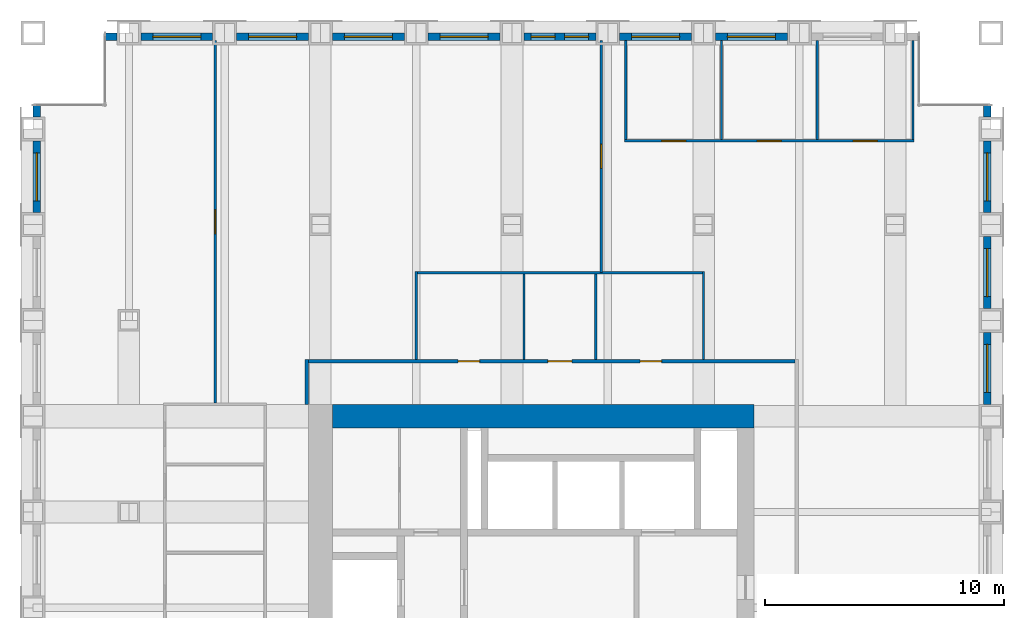
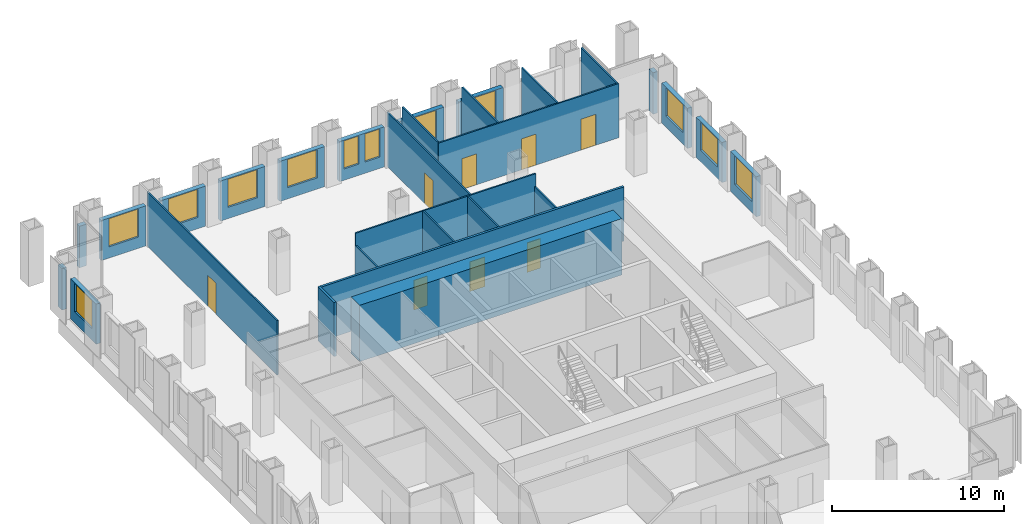
# One storey, part 10 of 12: 29 walls, 12 windows, 8 doors, 20 openings.
"""IFC4 building model written with IfcOpenShell, lengths in metres."""

from ifc_helpers import new_model, si_unit, direction, frame, frame_2d, origin, place, context, subcontext, project, spatial, rectangle, extrude, material, layer, layer_set, type_object, element, fill, save


model = new_model("IFC4")

# Units and contexts
model_context = context("Model", 3, precision=1e-05, world=origin(), true_north=direction((0.0, 1.0)))
body_context = subcontext(model_context, "Body", "Model", "MODEL_VIEW")
ifc_project = project(units=[si_unit("LENGTHUNIT", "METRE"), si_unit("AREAUNIT", "SQUARE_METRE"), si_unit("VOLUMEUNIT", "CUBIC_METRE"), si_unit("PLANEANGLEUNIT", "RADIAN"), si_unit("MASSUNIT", "GRAM", prefix="KILO")], contexts=[model_context])

# Site, building, storey
site_placement = place(None, origin())
site = spatial("IfcSite", under=ifc_project, at=site_placement, CompositionType="ELEMENT")
building_placement = place(site_placement, origin())
building = spatial("IfcBuilding", under=site, at=building_placement, Name="Rimbunsela Tower", CompositionType="ELEMENT")
storey_placement = place(building_placement, frame((0.0, 0.0, 163.800048828125)))
storey = spatial("IfcBuildingStorey", under=building, at=storey_placement, Name="L39", CompositionType="ELEMENT", Elevation=163.800048828125)

# Wall
ifc_material_1 = material(Name="Concrete fc' 80 MPa", Category="concrete")
ifc_layer_1 = layer(ifc_material_1, 1.0)
ifc_layer_set_1 = layer_set([ifc_layer_1], Name="Core wall 1000")
wall_type_1 = type_object("IfcWallType", Name="Core wall 1000", PredefinedType="SHEAR", material=ifc_layer_set_1)
wall_1_placement = place(storey_placement, frame((18.5, 36.0, -0.150146484375), z_axis=(0.0, 0.0, 1.0), x_axis=(1.0, 0.0, 0.0)))
element("IfcWall", 1, at=wall_1_placement, inside=storey, type_object=wall_type_1, Name="Core wall north", PredefinedType="SHEAR", context=body_context, shape_type="SweptSolid", body=[
    extrude(rectangle(XDim=17.60009765625, YDim=1.0, at=frame_2d((8.800048828125, 0.0))), origin(), (0.0, 0.0, 1.0), 4.0),
])

# Wall, openings, doors
ifc_material_2 = material(Name="Gypsum board on steel studs", Category="steel")
ifc_layer_2 = layer(ifc_material_2, 0.10009765625)
ifc_layer_set_2 = layer_set([ifc_layer_2], Name="Office partition 100")
wall_type_2 = type_object("IfcWallType", Name="Office partition 100", PredefinedType="PARTITIONING", material=ifc_layer_set_2)
wall_2_placement = place(storey_placement, frame((30.699951171875, 47.5, 0.0), z_axis=(0.0, 0.0, 1.0), x_axis=(1.0, 0.0, 0.0)))
wall_2 = element("IfcWall", 2, at=wall_2_placement, inside=storey, type_object=wall_type_2, Name="Office partition", PredefinedType="PARTITIONING", context=body_context, shape_type="SweptSolid", body=[
    extrude(rectangle(XDim=12.10009765625, YDim=0.10009765625, at=frame_2d((6.050048828125, 0.0))), origin(), (0.0, 0.0, 1.0), 3.849853515625),
])
opening_1_placement = place(wall_2_placement, frame((1.550048828125, 0.0, 0.0)))
opening_1 = element("IfcOpeningElement", 3, at=opening_1_placement, cuts=wall_2, Name="Opening D16", PredefinedType="OPENING", context=body_context, shape_type="SweptSolid", body=[
    extrude(rectangle(XDim=1.0, YDim=2.199951171875, at=frame_2d((0.5, 1.10009765625))), frame((0.0, 0.06005859375, 0.0), z_axis=(0.0, -1.0, 0.0), x_axis=(1.0, 0.0, 0.0)), (0.0, 0.0, 1.0), 0.1201171875),
])
opening_2_placement = place(wall_2_placement, frame((5.550048828125, 0.0, 0.0)))
opening_2 = element("IfcOpeningElement", 4, at=opening_2_placement, cuts=wall_2, Name="Opening D16", PredefinedType="OPENING", context=body_context, shape_type="SweptSolid", body=[
    extrude(rectangle(XDim=1.0, YDim=2.199951171875, at=frame_2d((0.5, 1.10009765625))), frame((0.0, 0.06005859375, 0.0), z_axis=(0.0, -1.0, 0.0), x_axis=(1.0, 0.0, 0.0)), (0.0, 0.0, 1.0), 0.1201171875),
])
opening_3_placement = place(wall_2_placement, frame((9.550048828125, 0.0, 0.0)))
opening_3 = element("IfcOpeningElement", 5, at=opening_3_placement, cuts=wall_2, Name="Opening D16", PredefinedType="OPENING", context=body_context, shape_type="SweptSolid", body=[
    extrude(rectangle(XDim=1.0, YDim=2.199951171875, at=frame_2d((0.5, 1.10009765625))), frame((0.0, 0.06005859375, 0.0), z_axis=(0.0, -1.0, 0.0), x_axis=(1.0, 0.0, 0.0)), (0.0, 0.0, 1.0), 0.1201171875),
])
ifc_material_3 = material(Name="Timber door", Category="wood")
door_type_1 = type_object("IfcDoorType", Name="Office door 1000", OperationType="SINGLE_SWING_LEFT", PredefinedType="DOOR", material=ifc_material_3)
door_1_placement = place(opening_1_placement, origin())
door_1 = element("IfcDoor", 6, at=door_1_placement, inside=storey, type_object=door_type_1, Name="Office door", OperationType="SINGLE_SWING_LEFT", OverallHeight=2.199951171875, OverallWidth=1.0, PredefinedType="DOOR", context=body_context, shape_type="SweptSolid", body=[
    extrude(rectangle(XDim=1.0, YDim=2.199951171875, at=frame_2d((0.5, 1.10009765625))), frame((0.0, 0.02490234375, 0.0), z_axis=(0.0, -1.0, 0.0), x_axis=(1.0, 0.0, 0.0)), (0.0, 0.0, 1.0), 0.050048828125),
])
fill(opening_1, door_1)
door_2_placement = place(opening_2_placement, origin())
door_2 = element("IfcDoor", 7, at=door_2_placement, inside=storey, type_object=door_type_1, Name="Office door", OperationType="SINGLE_SWING_LEFT", OverallHeight=2.199951171875, OverallWidth=1.0, PredefinedType="DOOR", context=body_context, shape_type="SweptSolid", body=[
    extrude(rectangle(XDim=1.0, YDim=2.199951171875, at=frame_2d((0.5, 1.10009765625))), frame((0.0, 0.02490234375, 0.0), z_axis=(0.0, -1.0, 0.0), x_axis=(1.0, 0.0, 0.0)), (0.0, 0.0, 1.0), 0.050048828125),
])
fill(opening_2, door_2)
door_3_placement = place(opening_3_placement, origin())
door_3 = element("IfcDoor", 8, at=door_3_placement, inside=storey, type_object=door_type_1, Name="Office door", OperationType="SINGLE_SWING_LEFT", OverallHeight=2.199951171875, OverallWidth=1.0, PredefinedType="DOOR", context=body_context, shape_type="SweptSolid", body=[
    extrude(rectangle(XDim=1.0, YDim=2.199951171875, at=frame_2d((0.5, 1.10009765625))), frame((0.0, 0.02490234375, 0.0), z_axis=(0.0, -1.0, 0.0), x_axis=(1.0, 0.0, 0.0)), (0.0, 0.0, 1.0), 0.050048828125),
])
fill(opening_3, door_3)

# Walls
for number, where, z_axis, x_axis, name in (
    (9, (30.75, 47.550048828125, 0.0), (0.0, 0.0, 1.0), (0.0, 1.0, 0.0), "Office partition"),
    (10, (34.75, 47.550048828125, 0.0), (0.0, 0.0, 1.0), (0.0, 1.0, 0.0), "Office partition"),
    (11, (38.75, 47.550048828125, 0.0), (0.0, 0.0, 1.0), (0.0, 1.0, 0.0), "Office partition"),
    (12, (42.75, 47.550048828125, 0.0), (0.0, 0.0, 1.0), (0.0, 1.0, 0.0), "Office partition"),
):
    element("IfcWall", number, at=place(storey_placement, frame(where, z_axis=z_axis, x_axis=x_axis)), inside=storey, type_object=wall_type_2, Name=name, PredefinedType="PARTITIONING", context=body_context, shape_type="SweptSolid", body=[
        extrude(rectangle(XDim=4.14990234375, YDim=0.10009765625, at=frame_2d((2.074951171875, 0.0))), origin(), (0.0, 0.0, 1.0), 3.849853515625),
    ])

# Wall, opening, door
wall_3_placement = place(storey_placement, frame((29.72509765625, 51.699951171875, 0.0), z_axis=(0.0, 0.0, 1.0), x_axis=(0.0, -1.0, 0.0)))
wall_3 = element("IfcWall", 13, at=wall_3_placement, inside=storey, type_object=wall_type_2, Name="Office partition", PredefinedType="PARTITIONING", context=body_context, shape_type="SweptSolid", body=[
    extrude(rectangle(XDim=9.699951171875, YDim=0.10009765625, at=frame_2d((4.85009765625, 0.0))), origin(), (0.0, 0.0, 1.0), 3.849853515625),
])
opening_4_placement = place(wall_3_placement, frame((4.35009765625, 0.0, 0.0)))
opening_4 = element("IfcOpeningElement", 14, at=opening_4_placement, cuts=wall_3, Name="Opening D17", PredefinedType="OPENING", context=body_context, shape_type="SweptSolid", body=[
    extrude(rectangle(XDim=1.0, YDim=2.199951171875, at=frame_2d((0.5, 1.10009765625))), frame((0.0, 0.06005859375, 0.0), z_axis=(0.0, -1.0, 0.0), x_axis=(1.0, 0.0, 0.0)), (0.0, 0.0, 1.0), 0.1201171875),
])
ifc_material_4 = material(Name="Glazed aluminium door", Category="aluminium")
door_type_2 = type_object("IfcDoorType", Name="Meeting room door 1000 glazed", OperationType="SINGLE_SWING_RIGHT", PredefinedType="DOOR", material=ifc_material_4)
door_4_placement = place(opening_4_placement, origin())
door_4 = element("IfcDoor", 15, at=door_4_placement, inside=storey, type_object=door_type_2, Name="Open office screen door", OperationType="SINGLE_SWING_RIGHT", OverallHeight=2.199951171875, OverallWidth=1.0, PredefinedType="DOOR", context=body_context, shape_type="SweptSolid", body=[
    extrude(rectangle(XDim=1.0, YDim=2.199951171875, at=frame_2d((0.5, 1.10009765625))), frame((0.0, 0.02490234375, 0.0), z_axis=(0.0, -1.0, 0.0), x_axis=(1.0, 0.0, 0.0)), (0.0, 0.0, 1.0), 0.050048828125),
])
fill(opening_4, door_4)

wall_4_placement = place(storey_placement, frame((13.60009765625, 36.550048828125, 0.0), z_axis=(0.0, 0.0, 1.0), x_axis=(0.0, 1.0, 0.0)))
wall_4 = element("IfcWall", 16, at=wall_4_placement, inside=storey, type_object=wall_type_2, Name="Office partition", PredefinedType="PARTITIONING", context=body_context, shape_type="SweptSolid", body=[
    extrude(rectangle(XDim=15.14990234375, YDim=0.10009765625, at=frame_2d((7.574951171875, 0.0))), origin(), (0.0, 0.0, 1.0), 3.849853515625),
])
opening_5_placement = place(wall_4_placement, frame((7.074951171875, 0.0, 0.0)))
opening_5 = element("IfcOpeningElement", 17, at=opening_5_placement, cuts=wall_4, Name="Opening D17", PredefinedType="OPENING", context=body_context, shape_type="SweptSolid", body=[
    extrude(rectangle(XDim=1.0, YDim=2.199951171875, at=frame_2d((0.5, 1.10009765625))), frame((0.0, 0.06005859375, 0.0), z_axis=(0.0, -1.0, 0.0), x_axis=(1.0, 0.0, 0.0)), (0.0, 0.0, 1.0), 0.1201171875),
])
door_5_placement = place(opening_5_placement, origin())
door_5 = element("IfcDoor", 18, at=door_5_placement, inside=storey, type_object=door_type_2, Name="Open office screen door", OperationType="SINGLE_SWING_RIGHT", OverallHeight=2.199951171875, OverallWidth=1.0, PredefinedType="DOOR", context=body_context, shape_type="SweptSolid", body=[
    extrude(rectangle(XDim=1.0, YDim=2.199951171875, at=frame_2d((0.5, 1.10009765625))), frame((0.0, 0.02490234375, 0.0), z_axis=(0.0, -1.0, 0.0), x_axis=(1.0, 0.0, 0.0)), (0.0, 0.0, 1.0), 0.050048828125),
])
fill(opening_5, door_5)

# Wall, opening, window
ifc_material_5 = material(Name="Precast concrete fc' 35 MPa", Category="concrete")
ifc_layer_3 = layer(ifc_material_5, 0.300048828125)
ifc_layer_set_3 = layer_set([ifc_layer_3], Name="Precast concrete fc' 35 MPa")
wall_type_3 = type_object("IfcWallType", Name="Precast facade panel 300", PredefinedType="ELEMENTEDWALL", material=ifc_layer_set_3)
wall_5_placement = place(storey_placement, frame((45.85009765625, 36.5, 0.0), z_axis=(0.0, 0.0, 1.0), x_axis=(0.0, 1.0, 0.0)))
wall_5 = element("IfcWall", 19, at=wall_5_placement, inside=storey, type_object=wall_type_3, Name="Facade panel E L39", PredefinedType="ELEMENTEDWALL", context=body_context, shape_type="SweptSolid", body=[
    extrude(rectangle(XDim=3.0, YDim=0.300048828125, at=frame_2d((1.5, 0.0))), origin(), (0.0, 0.0, 1.0), 2.849853515625),
])
opening_6_placement = place(wall_5_placement, frame((0.5, 0.0, 0.800048828125)))
opening_6 = element("IfcOpeningElement", 20, at=opening_6_placement, cuts=wall_5, Name="Opening W1", PredefinedType="OPENING", context=body_context, shape_type="SweptSolid", body=[
    extrude(rectangle(XDim=2.0, YDim=2.0, at=frame_2d((1.0, 1.0))), frame((0.0, 0.159912109375, 0.0), z_axis=(0.0, -1.0, 0.0), x_axis=(1.0, 0.0, 0.0)), (0.0, 0.0, 1.0), 0.320068359375),
])
ifc_material_6 = material(Name="Clear glass in aluminium frame", Category="aluminium")
window_type_1 = type_object("IfcWindowType", Name="Window W1 2000x2000", PartitioningType="DOUBLE_PANEL_VERTICAL", PredefinedType="WINDOW", material=ifc_material_6)
window_1_placement = place(opening_6_placement, origin())
window_1 = element("IfcWindow", 21, at=window_1_placement, inside=storey, type_object=window_type_1, Name="Window L39", OverallHeight=2.0, OverallWidth=2.0, PartitioningType="SINGLE_PANEL", PredefinedType="WINDOW", context=body_context, shape_type="SweptSolid", body=[
    extrude(rectangle(XDim=2.0, YDim=2.0, at=frame_2d((1.0, 1.0))), frame((0.0, 0.030029296875, 0.0), z_axis=(0.0, -1.0, 0.0), x_axis=(1.0, 0.0, 0.0)), (0.0, 0.0, 1.0), 0.06005859375),
])
fill(opening_6, window_1)

wall_6_placement = place(storey_placement, frame((45.85009765625, 40.5, 0.0), z_axis=(0.0, 0.0, 1.0), x_axis=(0.0, 1.0, 0.0)))
wall_6 = element("IfcWall", 22, at=wall_6_placement, inside=storey, type_object=wall_type_3, Name="Facade panel E L39", PredefinedType="ELEMENTEDWALL", context=body_context, shape_type="SweptSolid", body=[
    extrude(rectangle(XDim=3.0, YDim=0.300048828125, at=frame_2d((1.5, 0.0))), origin(), (0.0, 0.0, 1.0), 2.849853515625),
])
opening_7_placement = place(wall_6_placement, frame((0.5, 0.0, 0.800048828125)))
opening_7 = element("IfcOpeningElement", 23, at=opening_7_placement, cuts=wall_6, Name="Opening W1", PredefinedType="OPENING", context=body_context, shape_type="SweptSolid", body=[
    extrude(rectangle(XDim=2.0, YDim=2.0, at=frame_2d((1.0, 1.0))), frame((0.0, 0.159912109375, 0.0), z_axis=(0.0, -1.0, 0.0), x_axis=(1.0, 0.0, 0.0)), (0.0, 0.0, 1.0), 0.320068359375),
])
window_2_placement = place(opening_7_placement, origin())
window_2 = element("IfcWindow", 24, at=window_2_placement, inside=storey, type_object=window_type_1, Name="Window L39", OverallHeight=2.0, OverallWidth=2.0, PartitioningType="SINGLE_PANEL", PredefinedType="WINDOW", context=body_context, shape_type="SweptSolid", body=[
    extrude(rectangle(XDim=2.0, YDim=2.0, at=frame_2d((1.0, 1.0))), frame((0.0, 0.030029296875, 0.0), z_axis=(0.0, -1.0, 0.0), x_axis=(1.0, 0.0, 0.0)), (0.0, 0.0, 1.0), 0.06005859375),
])
fill(opening_7, window_2)

wall_7_placement = place(storey_placement, frame((45.85009765625, 44.5, 0.0), z_axis=(0.0, 0.0, 1.0), x_axis=(0.0, 1.0, 0.0)))
wall_7 = element("IfcWall", 25, at=wall_7_placement, inside=storey, type_object=wall_type_3, Name="Facade panel E L39", PredefinedType="ELEMENTEDWALL", context=body_context, shape_type="SweptSolid", body=[
    extrude(rectangle(XDim=3.0, YDim=0.300048828125, at=frame_2d((1.5, 0.0))), origin(), (0.0, 0.0, 1.0), 2.849853515625),
])
opening_8_placement = place(wall_7_placement, frame((0.5, 0.0, 0.800048828125)))
opening_8 = element("IfcOpeningElement", 26, at=opening_8_placement, cuts=wall_7, Name="Opening W1", PredefinedType="OPENING", context=body_context, shape_type="SweptSolid", body=[
    extrude(rectangle(XDim=2.0, YDim=2.0, at=frame_2d((1.0, 1.0))), frame((0.0, 0.159912109375, 0.0), z_axis=(0.0, -1.0, 0.0), x_axis=(1.0, 0.0, 0.0)), (0.0, 0.0, 1.0), 0.320068359375),
])
window_3_placement = place(opening_8_placement, origin())
window_3 = element("IfcWindow", 27, at=window_3_placement, inside=storey, type_object=window_type_1, Name="Window L39", OverallHeight=2.0, OverallWidth=2.0, PartitioningType="SINGLE_PANEL", PredefinedType="WINDOW", context=body_context, shape_type="SweptSolid", body=[
    extrude(rectangle(XDim=2.0, YDim=2.0, at=frame_2d((1.0, 1.0))), frame((0.0, 0.030029296875, 0.0), z_axis=(0.0, -1.0, 0.0), x_axis=(1.0, 0.0, 0.0)), (0.0, 0.0, 1.0), 0.06005859375),
])
fill(opening_8, window_3)

# Walls
for number, where, z_axis, x_axis, name in (
    (28, (45.85009765625, 48.5, 0.0), (0.0, 0.0, 1.0), (0.0, 1.0, 0.0), "Facade panel E L39"),
    (29, (9.5, 51.85009765625, 0.0), (0.0, 0.0, 1.0), (-1.0, 0.0, 0.0), "Facade panel N L39"),
):
    element("IfcWall", number, at=place(storey_placement, frame(where, z_axis=z_axis, x_axis=x_axis)), inside=storey, type_object=wall_type_3, Name=name, PredefinedType="ELEMENTEDWALL", context=body_context, shape_type="SweptSolid", body=[
        extrude(rectangle(XDim=0.469970703125, YDim=0.300048828125, at=frame_2d((0.23486328125, 0.0))), origin(), (0.0, 0.0, 1.0), 2.949951171875),
    ])

# Wall, opening, window
wall_8_placement = place(storey_placement, frame((13.5, 51.85009765625, 0.0), z_axis=(0.0, 0.0, 1.0), x_axis=(-1.0, 0.0, 0.0)))
wall_8 = element("IfcWall", 30, at=wall_8_placement, inside=storey, type_object=wall_type_3, Name="Facade panel N L39", PredefinedType="ELEMENTEDWALL", context=body_context, shape_type="SweptSolid", body=[
    extrude(rectangle(XDim=3.0, YDim=0.300048828125, at=frame_2d((1.5, 0.0))), origin(), (0.0, 0.0, 1.0), 2.849853515625),
])
opening_9_placement = place(wall_8_placement, frame((0.5, 0.0, 0.800048828125)))
opening_9 = element("IfcOpeningElement", 31, at=opening_9_placement, cuts=wall_8, Name="Opening W1", PredefinedType="OPENING", context=body_context, shape_type="SweptSolid", body=[
    extrude(rectangle(XDim=2.0, YDim=2.0, at=frame_2d((1.0, 1.0))), frame((0.0, 0.159912109375, 0.0), z_axis=(0.0, -1.0, 0.0), x_axis=(1.0, 0.0, 0.0)), (0.0, 0.0, 1.0), 0.320068359375),
])
window_4_placement = place(opening_9_placement, origin())
window_4 = element("IfcWindow", 32, at=window_4_placement, inside=storey, type_object=window_type_1, Name="Window L39", OverallHeight=2.0, OverallWidth=2.0, PartitioningType="SINGLE_PANEL", PredefinedType="WINDOW", context=body_context, shape_type="SweptSolid", body=[
    extrude(rectangle(XDim=2.0, YDim=2.0, at=frame_2d((1.0, 1.0))), frame((0.0, 0.030029296875, 0.0), z_axis=(0.0, -1.0, 0.0), x_axis=(1.0, 0.0, 0.0)), (0.0, 0.0, 1.0), 0.06005859375),
])
fill(opening_9, window_4)

wall_9_placement = place(storey_placement, frame((17.5, 51.85009765625, 0.0), z_axis=(0.0, 0.0, 1.0), x_axis=(-1.0, 0.0, 0.0)))
wall_9 = element("IfcWall", 33, at=wall_9_placement, inside=storey, type_object=wall_type_3, Name="Facade panel N L39", PredefinedType="ELEMENTEDWALL", context=body_context, shape_type="SweptSolid", body=[
    extrude(rectangle(XDim=3.0, YDim=0.300048828125, at=frame_2d((1.5, 0.0))), origin(), (0.0, 0.0, 1.0), 2.849853515625),
])
opening_10_placement = place(wall_9_placement, frame((0.5, 0.0, 0.800048828125)))
opening_10 = element("IfcOpeningElement", 34, at=opening_10_placement, cuts=wall_9, Name="Opening W1", PredefinedType="OPENING", context=body_context, shape_type="SweptSolid", body=[
    extrude(rectangle(XDim=2.0, YDim=2.0, at=frame_2d((1.0, 1.0))), frame((0.0, 0.159912109375, 0.0), z_axis=(0.0, -1.0, 0.0), x_axis=(1.0, 0.0, 0.0)), (0.0, 0.0, 1.0), 0.320068359375),
])
window_5_placement = place(opening_10_placement, origin())
window_5 = element("IfcWindow", 35, at=window_5_placement, inside=storey, type_object=window_type_1, Name="Window L39", OverallHeight=2.0, OverallWidth=2.0, PartitioningType="SINGLE_PANEL", PredefinedType="WINDOW", context=body_context, shape_type="SweptSolid", body=[
    extrude(rectangle(XDim=2.0, YDim=2.0, at=frame_2d((1.0, 1.0))), frame((0.0, 0.030029296875, 0.0), z_axis=(0.0, -1.0, 0.0), x_axis=(1.0, 0.0, 0.0)), (0.0, 0.0, 1.0), 0.06005859375),
])
fill(opening_10, window_5)

wall_10_placement = place(storey_placement, frame((21.5, 51.85009765625, 0.0), z_axis=(0.0, 0.0, 1.0), x_axis=(-1.0, 0.0, 0.0)))
wall_10 = element("IfcWall", 36, at=wall_10_placement, inside=storey, type_object=wall_type_3, Name="Facade panel N L39", PredefinedType="ELEMENTEDWALL", context=body_context, shape_type="SweptSolid", body=[
    extrude(rectangle(XDim=3.0, YDim=0.300048828125, at=frame_2d((1.5, 0.0))), origin(), (0.0, 0.0, 1.0), 2.849853515625),
])
opening_11_placement = place(wall_10_placement, frame((0.5, 0.0, 0.800048828125)))
opening_11 = element("IfcOpeningElement", 37, at=opening_11_placement, cuts=wall_10, Name="Opening W1", PredefinedType="OPENING", context=body_context, shape_type="SweptSolid", body=[
    extrude(rectangle(XDim=2.0, YDim=2.0, at=frame_2d((1.0, 1.0))), frame((0.0, 0.159912109375, 0.0), z_axis=(0.0, -1.0, 0.0), x_axis=(1.0, 0.0, 0.0)), (0.0, 0.0, 1.0), 0.320068359375),
])
window_6_placement = place(opening_11_placement, origin())
window_6 = element("IfcWindow", 38, at=window_6_placement, inside=storey, type_object=window_type_1, Name="Window L39", OverallHeight=2.0, OverallWidth=2.0, PartitioningType="SINGLE_PANEL", PredefinedType="WINDOW", context=body_context, shape_type="SweptSolid", body=[
    extrude(rectangle(XDim=2.0, YDim=2.0, at=frame_2d((1.0, 1.0))), frame((0.0, 0.030029296875, 0.0), z_axis=(0.0, -1.0, 0.0), x_axis=(1.0, 0.0, 0.0)), (0.0, 0.0, 1.0), 0.06005859375),
])
fill(opening_11, window_6)

wall_11_placement = place(storey_placement, frame((25.5, 51.85009765625, 0.0), z_axis=(0.0, 0.0, 1.0), x_axis=(-1.0, 0.0, 0.0)))
wall_11 = element("IfcWall", 39, at=wall_11_placement, inside=storey, type_object=wall_type_3, Name="Facade panel N L39", PredefinedType="ELEMENTEDWALL", context=body_context, shape_type="SweptSolid", body=[
    extrude(rectangle(XDim=3.0, YDim=0.300048828125, at=frame_2d((1.5, 0.0))), origin(), (0.0, 0.0, 1.0), 2.849853515625),
])
opening_12_placement = place(wall_11_placement, frame((0.5, 0.0, 0.800048828125)))
opening_12 = element("IfcOpeningElement", 40, at=opening_12_placement, cuts=wall_11, Name="Opening W1", PredefinedType="OPENING", context=body_context, shape_type="SweptSolid", body=[
    extrude(rectangle(XDim=2.0, YDim=2.0, at=frame_2d((1.0, 1.0))), frame((0.0, 0.159912109375, 0.0), z_axis=(0.0, -1.0, 0.0), x_axis=(1.0, 0.0, 0.0)), (0.0, 0.0, 1.0), 0.320068359375),
])
window_7_placement = place(opening_12_placement, origin())
window_7 = element("IfcWindow", 41, at=window_7_placement, inside=storey, type_object=window_type_1, Name="Window L39", OverallHeight=2.0, OverallWidth=2.0, PartitioningType="SINGLE_PANEL", PredefinedType="WINDOW", context=body_context, shape_type="SweptSolid", body=[
    extrude(rectangle(XDim=2.0, YDim=2.0, at=frame_2d((1.0, 1.0))), frame((0.0, 0.030029296875, 0.0), z_axis=(0.0, -1.0, 0.0), x_axis=(1.0, 0.0, 0.0)), (0.0, 0.0, 1.0), 0.06005859375),
])
fill(opening_12, window_7)

# Wall, openings, windows
wall_12_placement = place(storey_placement, frame((29.5, 51.85009765625, 0.0), z_axis=(0.0, 0.0, 1.0), x_axis=(-1.0, 0.0, 0.0)))
wall_12 = element("IfcWall", 42, at=wall_12_placement, inside=storey, type_object=wall_type_3, Name="Facade panel N L39", PredefinedType="ELEMENTEDWALL", context=body_context, shape_type="SweptSolid", body=[
    extrude(rectangle(XDim=3.0, YDim=0.300048828125, at=frame_2d((1.5, 0.0))), origin(), (0.0, 0.0, 1.0), 2.849853515625),
])
opening_13_placement = place(wall_12_placement, frame((1.699951171875, 0.0, 0.800048828125)))
opening_13 = element("IfcOpeningElement", 43, at=opening_13_placement, cuts=wall_12, Name="Opening W5", PredefinedType="OPENING", context=body_context, shape_type="SweptSolid", body=[
    extrude(rectangle(XDim=1.0, YDim=2.0, at=frame_2d((0.5, 1.0))), frame((0.0, 0.159912109375, 0.0), z_axis=(0.0, -1.0, 0.0), x_axis=(1.0, 0.0, 0.0)), (0.0, 0.0, 1.0), 0.320068359375),
])
opening_14_placement = place(wall_12_placement, frame((0.300048828125, 0.0, 0.800048828125)))
opening_14 = element("IfcOpeningElement", 44, at=opening_14_placement, cuts=wall_12, Name="Opening W5", PredefinedType="OPENING", context=body_context, shape_type="SweptSolid", body=[
    extrude(rectangle(XDim=1.0, YDim=2.0, at=frame_2d((0.5, 1.0))), frame((0.0, 0.159912109375, 0.0), z_axis=(0.0, -1.0, 0.0), x_axis=(1.0, 0.0, 0.0)), (0.0, 0.0, 1.0), 0.320068359375),
])
ifc_material_7 = material(Name="Clear glass in aluminium frame", Category="aluminium")
window_type_2 = type_object("IfcWindowType", Name="Window W5 1000x2000", PartitioningType="SINGLE_PANEL", PredefinedType="WINDOW", material=ifc_material_7)
window_8_placement = place(opening_13_placement, origin())
window_8 = element("IfcWindow", 45, at=window_8_placement, inside=storey, type_object=window_type_2, Name="Window L39", OverallHeight=2.0, OverallWidth=1.0, PartitioningType="SINGLE_PANEL", PredefinedType="WINDOW", context=body_context, shape_type="SweptSolid", body=[
    extrude(rectangle(XDim=1.0, YDim=2.0, at=frame_2d((0.5, 1.0))), frame((0.0, 0.030029296875, 0.0), z_axis=(0.0, -1.0, 0.0), x_axis=(1.0, 0.0, 0.0)), (0.0, 0.0, 1.0), 0.06005859375),
])
fill(opening_13, window_8)
window_9_placement = place(opening_14_placement, origin())
window_9 = element("IfcWindow", 46, at=window_9_placement, inside=storey, type_object=window_type_2, Name="Window L39", OverallHeight=2.0, OverallWidth=1.0, PartitioningType="SINGLE_PANEL", PredefinedType="WINDOW", context=body_context, shape_type="SweptSolid", body=[
    extrude(rectangle(XDim=1.0, YDim=2.0, at=frame_2d((0.5, 1.0))), frame((0.0, 0.030029296875, 0.0), z_axis=(0.0, -1.0, 0.0), x_axis=(1.0, 0.0, 0.0)), (0.0, 0.0, 1.0), 0.06005859375),
])
fill(opening_14, window_9)

# Wall, opening, window
wall_13_placement = place(storey_placement, frame((33.5, 51.85009765625, 0.0), z_axis=(0.0, 0.0, 1.0), x_axis=(-1.0, 0.0, 0.0)))
wall_13 = element("IfcWall", 47, at=wall_13_placement, inside=storey, type_object=wall_type_3, Name="Facade panel N L39", PredefinedType="ELEMENTEDWALL", context=body_context, shape_type="SweptSolid", body=[
    extrude(rectangle(XDim=3.0, YDim=0.300048828125, at=frame_2d((1.5, 0.0))), origin(), (0.0, 0.0, 1.0), 2.849853515625),
])
opening_15_placement = place(wall_13_placement, frame((0.5, 0.0, 0.800048828125)))
opening_15 = element("IfcOpeningElement", 48, at=opening_15_placement, cuts=wall_13, Name="Opening W1", PredefinedType="OPENING", context=body_context, shape_type="SweptSolid", body=[
    extrude(rectangle(XDim=2.0, YDim=2.0, at=frame_2d((1.0, 1.0))), frame((0.0, 0.159912109375, 0.0), z_axis=(0.0, -1.0, 0.0), x_axis=(1.0, 0.0, 0.0)), (0.0, 0.0, 1.0), 0.320068359375),
])
window_10_placement = place(opening_15_placement, origin())
window_10 = element("IfcWindow", 49, at=window_10_placement, inside=storey, type_object=window_type_1, Name="Window L39", OverallHeight=2.0, OverallWidth=2.0, PartitioningType="SINGLE_PANEL", PredefinedType="WINDOW", context=body_context, shape_type="SweptSolid", body=[
    extrude(rectangle(XDim=2.0, YDim=2.0, at=frame_2d((1.0, 1.0))), frame((0.0, 0.030029296875, 0.0), z_axis=(0.0, -1.0, 0.0), x_axis=(1.0, 0.0, 0.0)), (0.0, 0.0, 1.0), 0.06005859375),
])
fill(opening_15, window_10)

wall_14_placement = place(storey_placement, frame((37.5, 51.85009765625, 0.0), z_axis=(0.0, 0.0, 1.0), x_axis=(-1.0, 0.0, 0.0)))
wall_14 = element("IfcWall", 50, at=wall_14_placement, inside=storey, type_object=wall_type_3, Name="Facade panel N L39", PredefinedType="ELEMENTEDWALL", context=body_context, shape_type="SweptSolid", body=[
    extrude(rectangle(XDim=3.0, YDim=0.300048828125, at=frame_2d((1.5, 0.0))), origin(), (0.0, 0.0, 1.0), 2.849853515625),
])
opening_16_placement = place(wall_14_placement, frame((0.5, 0.0, 0.800048828125)))
opening_16 = element("IfcOpeningElement", 51, at=opening_16_placement, cuts=wall_14, Name="Opening W1", PredefinedType="OPENING", context=body_context, shape_type="SweptSolid", body=[
    extrude(rectangle(XDim=2.0, YDim=2.0, at=frame_2d((1.0, 1.0))), frame((0.0, 0.159912109375, 0.0), z_axis=(0.0, -1.0, 0.0), x_axis=(1.0, 0.0, 0.0)), (0.0, 0.0, 1.0), 0.320068359375),
])
window_11_placement = place(opening_16_placement, origin())
window_11 = element("IfcWindow", 52, at=window_11_placement, inside=storey, type_object=window_type_1, Name="Window L39", OverallHeight=2.0, OverallWidth=2.0, PartitioningType="SINGLE_PANEL", PredefinedType="WINDOW", context=body_context, shape_type="SweptSolid", body=[
    extrude(rectangle(XDim=2.0, YDim=2.0, at=frame_2d((1.0, 1.0))), frame((0.0, 0.030029296875, 0.0), z_axis=(0.0, -1.0, 0.0), x_axis=(1.0, 0.0, 0.0)), (0.0, 0.0, 1.0), 0.06005859375),
])
fill(opening_16, window_11)

wall_15_placement = place(storey_placement, frame((6.14990234375, 47.5, 0.0), z_axis=(0.0, 0.0, 1.0), x_axis=(0.0, -1.0, 0.0)))
wall_15 = element("IfcWall", 53, at=wall_15_placement, inside=storey, type_object=wall_type_3, Name="Facade panel W L39", PredefinedType="ELEMENTEDWALL", context=body_context, shape_type="SweptSolid", body=[
    extrude(rectangle(XDim=3.0, YDim=0.300048828125, at=frame_2d((1.5, 0.0))), origin(), (0.0, 0.0, 1.0), 2.849853515625),
])
opening_17_placement = place(wall_15_placement, frame((0.5, 0.0, 0.800048828125)))
opening_17 = element("IfcOpeningElement", 54, at=opening_17_placement, cuts=wall_15, Name="Opening W1", PredefinedType="OPENING", context=body_context, shape_type="SweptSolid", body=[
    extrude(rectangle(XDim=2.0, YDim=2.0, at=frame_2d((1.0, 1.0))), frame((0.0, 0.159912109375, 0.0), z_axis=(0.0, -1.0, 0.0), x_axis=(1.0, 0.0, 0.0)), (0.0, 0.0, 1.0), 0.320068359375),
])
window_12_placement = place(opening_17_placement, origin())
window_12 = element("IfcWindow", 55, at=window_12_placement, inside=storey, type_object=window_type_1, Name="Window L39", OverallHeight=2.0, OverallWidth=2.0, PartitioningType="SINGLE_PANEL", PredefinedType="WINDOW", context=body_context, shape_type="SweptSolid", body=[
    extrude(rectangle(XDim=2.0, YDim=2.0, at=frame_2d((1.0, 1.0))), frame((0.0, 0.030029296875, 0.0), z_axis=(0.0, -1.0, 0.0), x_axis=(1.0, 0.0, 0.0)), (0.0, 0.0, 1.0), 0.06005859375),
])
fill(opening_17, window_12)

# Walls
wall_16_placement = place(storey_placement, frame((6.14990234375, 48.969970703125, 0.0), z_axis=(0.0, 0.0, 1.0), x_axis=(0.0, -1.0, 0.0)))
element("IfcWall", 56, at=wall_16_placement, inside=storey, type_object=wall_type_3, Name="Facade panel W L39", PredefinedType="ELEMENTEDWALL", context=body_context, shape_type="SweptSolid", body=[
    extrude(rectangle(XDim=0.469970703125, YDim=0.300048828125, at=frame_2d((0.23486328125, 0.0))), origin(), (0.0, 0.0, 1.0), 2.949951171875),
])
ifc_material_8 = material(Name="Fire-rated gypsum board on steel studs, EI 60", Category="steel")
ifc_layer_4 = layer(ifc_material_8, 0.14990234375)
ifc_layer_set_4 = layer_set([ifc_layer_4], Name="Rated corridor wall 150")
wall_type_4 = type_object("IfcWallType", Name="Rated corridor wall 150", PredefinedType="PARTITIONING", material=ifc_layer_set_4)
wall_17_placement = place(storey_placement, frame((17.425048828125, 36.5, 0.0), z_axis=(0.0, 0.0, 1.0), x_axis=(0.0, 1.0, 0.0)))
element("IfcWall", 57, at=wall_17_placement, inside=storey, type_object=wall_type_4, Name="Corridor end wall north", PredefinedType="PARTITIONING", context=body_context, shape_type="SweptSolid", body=[
    extrude(rectangle(XDim=1.875, YDim=0.14990234375, at=frame_2d((0.9375, 0.0))), origin(), (0.0, 0.0, 1.0), 3.849853515625),
])

# Wall, openings, doors
wall_18_placement = place(storey_placement, frame((17.5, 38.300048828125, 0.0), z_axis=(0.0, 0.0, 1.0), x_axis=(1.0, 0.0, 0.0)))
wall_18 = element("IfcWall", 58, at=wall_18_placement, inside=storey, type_object=wall_type_4, Name="Corridor wall north", PredefinedType="PARTITIONING", context=body_context, shape_type="SweptSolid", body=[
    extrude(rectangle(XDim=20.324951171875, YDim=0.14990234375, at=frame_2d((10.16259765625, 0.0))), origin(), (0.0, 0.0, 1.0), 3.849853515625),
])
opening_18_placement = place(wall_18_placement, frame((6.25, 0.0, 0.0)))
opening_18 = element("IfcOpeningElement", 59, at=opening_18_placement, cuts=wall_18, Name="Opening D04", PredefinedType="OPENING", context=body_context, shape_type="SweptSolid", body=[
    extrude(rectangle(XDim=0.89990234375, YDim=2.10009765625, at=frame_2d((0.449951171875, 1.050048828125))), frame((0.0, 0.0849609375, 0.0), z_axis=(0.0, -1.0, 0.0), x_axis=(1.0, 0.0, 0.0)), (0.0, 0.0, 1.0), 0.169921875),
])
opening_19_placement = place(wall_18_placement, frame((10.0, 0.0, 0.0)))
opening_19 = element("IfcOpeningElement", 60, at=opening_19_placement, cuts=wall_18, Name="Opening D05", PredefinedType="OPENING", context=body_context, shape_type="SweptSolid", body=[
    extrude(rectangle(XDim=1.0, YDim=2.10009765625, at=frame_2d((0.5, 1.050048828125))), frame((0.0, 0.0849609375, 0.0), z_axis=(0.0, -1.0, 0.0), x_axis=(1.0, 0.0, 0.0)), (0.0, 0.0, 1.0), 0.169921875),
])
opening_20_placement = place(wall_18_placement, frame((13.85009765625, 0.0, 0.0)))
opening_20 = element("IfcOpeningElement", 61, at=opening_20_placement, cuts=wall_18, Name="Opening D04", PredefinedType="OPENING", context=body_context, shape_type="SweptSolid", body=[
    extrude(rectangle(XDim=0.89990234375, YDim=2.10009765625, at=frame_2d((0.449951171875, 1.050048828125))), frame((0.0, 0.0849609375, 0.0), z_axis=(0.0, -1.0, 0.0), x_axis=(1.0, 0.0, 0.0)), (0.0, 0.0, 1.0), 0.169921875),
])
ifc_material_9 = material(Name="Timber door", Category="wood")
door_type_3 = type_object("IfcDoorType", Name="Accessible WC door 1000", OperationType="SLIDING_TO_LEFT", PredefinedType="DOOR", material=ifc_material_9)
door_6_placement = place(opening_19_placement, origin())
door_6 = element("IfcDoor", 62, at=door_6_placement, inside=storey, type_object=door_type_3, Name="Accessible WC door", OperationType="SLIDING_TO_LEFT", OverallHeight=2.10009765625, OverallWidth=1.0, PredefinedType="DOOR", context=body_context, shape_type="SweptSolid", body=[
    extrude(rectangle(XDim=1.0, YDim=2.10009765625, at=frame_2d((0.5, 1.050048828125))), frame((0.0, 0.02490234375, 0.0), z_axis=(0.0, -1.0, 0.0), x_axis=(1.0, 0.0, 0.0)), (0.0, 0.0, 1.0), 0.050048828125),
])
fill(opening_19, door_6)
ifc_material_10 = material(Name="Timber door", Category="wood")
door_type_4 = type_object("IfcDoorType", Name="Toilet door 900", OperationType="SINGLE_SWING_LEFT", PredefinedType="DOOR", material=ifc_material_10)
door_7_placement = place(opening_18_placement, origin())
door_7 = element("IfcDoor", 63, at=door_7_placement, inside=storey, type_object=door_type_4, Name="Female WC door", OperationType="SINGLE_SWING_LEFT", OverallHeight=2.10009765625, OverallWidth=0.89990234375, PredefinedType="DOOR", context=body_context, shape_type="SweptSolid", body=[
    extrude(rectangle(XDim=0.89990234375, YDim=2.10009765625, at=frame_2d((0.449951171875, 1.050048828125))), frame((0.0, 0.02490234375, 0.0), z_axis=(0.0, -1.0, 0.0), x_axis=(1.0, 0.0, 0.0)), (0.0, 0.0, 1.0), 0.050048828125),
])
fill(opening_18, door_7)
door_8_placement = place(opening_20_placement, origin())
door_8 = element("IfcDoor", 64, at=door_8_placement, inside=storey, type_object=door_type_4, Name="Male WC door", OperationType="SINGLE_SWING_LEFT", OverallHeight=2.10009765625, OverallWidth=0.89990234375, PredefinedType="DOOR", context=body_context, shape_type="SweptSolid", body=[
    extrude(rectangle(XDim=0.89990234375, YDim=2.10009765625, at=frame_2d((0.449951171875, 1.050048828125))), frame((0.0, 0.02490234375, 0.0), z_axis=(0.0, -1.0, 0.0), x_axis=(1.0, 0.0, 0.0)), (0.0, 0.0, 1.0), 0.050048828125),
])
fill(opening_20, door_8)

# Walls
ifc_material_11 = material(Name="Concrete blockwork", Category="masonry")
ifc_layer_5 = layer(ifc_material_11, 0.10009765625)
ifc_layer_set_5 = layer_set([ifc_layer_5], Name="Toilet partition 100")
wall_type_5 = type_object("IfcWallType", Name="Toilet partition 100", PredefinedType="PARTITIONING", material=ifc_layer_set_5)
for number, where, z_axis, x_axis, name in (
    (65, (22.0, 38.375, 0.0), (0.0, 0.0, 1.0), (0.0, 1.0, 0.0), "Toilet block wall west"),
    (66, (34.0, 38.375, 0.0), (0.0, 0.0, 1.0), (0.0, 1.0, 0.0), "Toilet block wall east"),
):
    element("IfcWall", number, at=place(storey_placement, frame(where, z_axis=z_axis, x_axis=x_axis)), inside=storey, type_object=wall_type_5, Name=name, PredefinedType="PARTITIONING", context=body_context, shape_type="SweptSolid", body=[
        extrude(rectangle(XDim=3.675048828125, YDim=0.10009765625, at=frame_2d((1.83740234375, 0.0))), origin(), (0.0, 0.0, 1.0), 2.949951171875),
    ])
wall_19_placement = place(storey_placement, frame((21.949951171875, 42.0, 0.0), z_axis=(0.0, 0.0, 1.0), x_axis=(1.0, 0.0, 0.0)))
element("IfcWall", 67, at=wall_19_placement, inside=storey, type_object=wall_type_5, Name="Toilet block wall north", PredefinedType="PARTITIONING", context=body_context, shape_type="SweptSolid", body=[
    extrude(rectangle(XDim=12.10009765625, YDim=0.10009765625, at=frame_2d((6.050048828125, 0.0))), origin(), (0.0, 0.0, 1.0), 3.849853515625),
])
for number, where, z_axis, x_axis, name in (
    (68, (26.5, 38.375, 0.0), (0.0, 0.0, 1.0), (0.0, 1.0, 0.0), "Toilet partition"),
    (69, (29.5, 38.375, 0.0), (0.0, 0.0, 1.0), (0.0, 1.0, 0.0), "Toilet partition"),
):
    element("IfcWall", number, at=place(storey_placement, frame(where, z_axis=z_axis, x_axis=x_axis)), inside=storey, type_object=wall_type_5, Name=name, PredefinedType="PARTITIONING", context=body_context, shape_type="SweptSolid", body=[
        extrude(rectangle(XDim=3.574951171875, YDim=0.10009765625, at=frame_2d((1.78759765625, 0.0))), origin(), (0.0, 0.0, 1.0), 3.849853515625),
    ])

save(model, "model.ifc")
